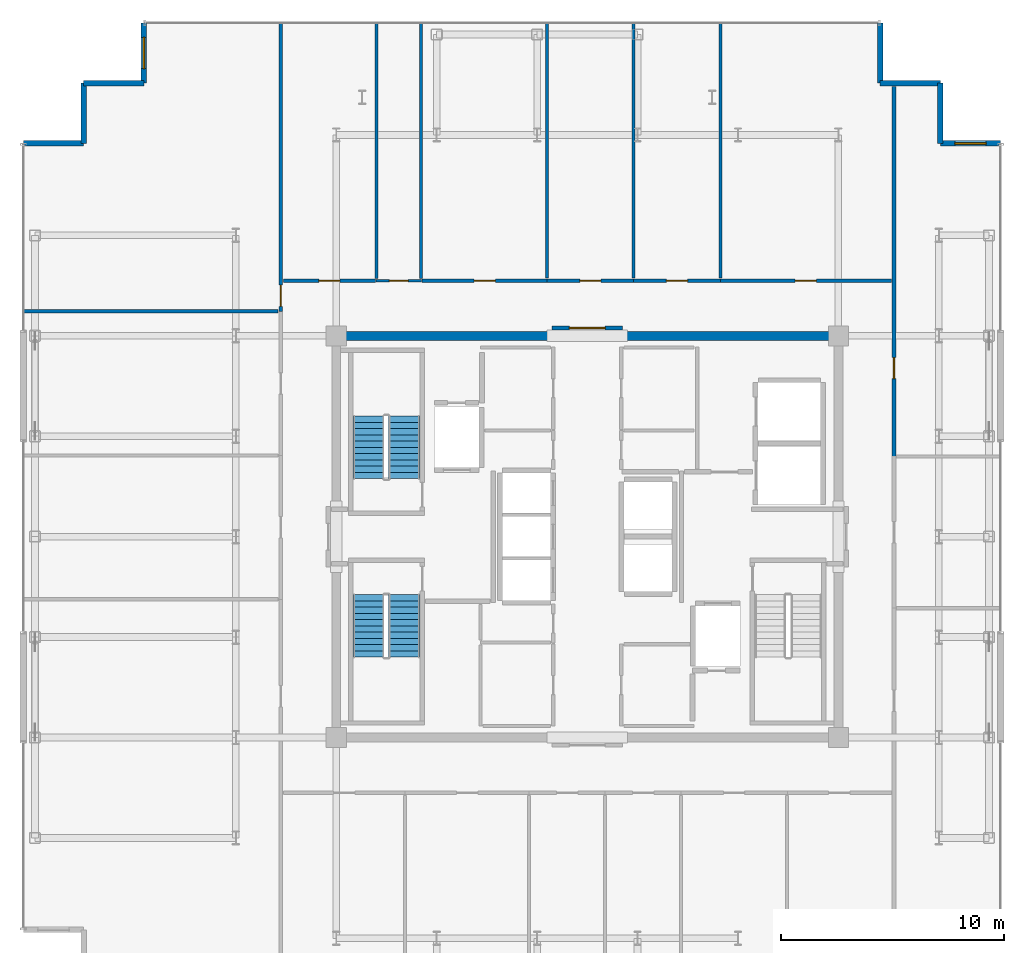
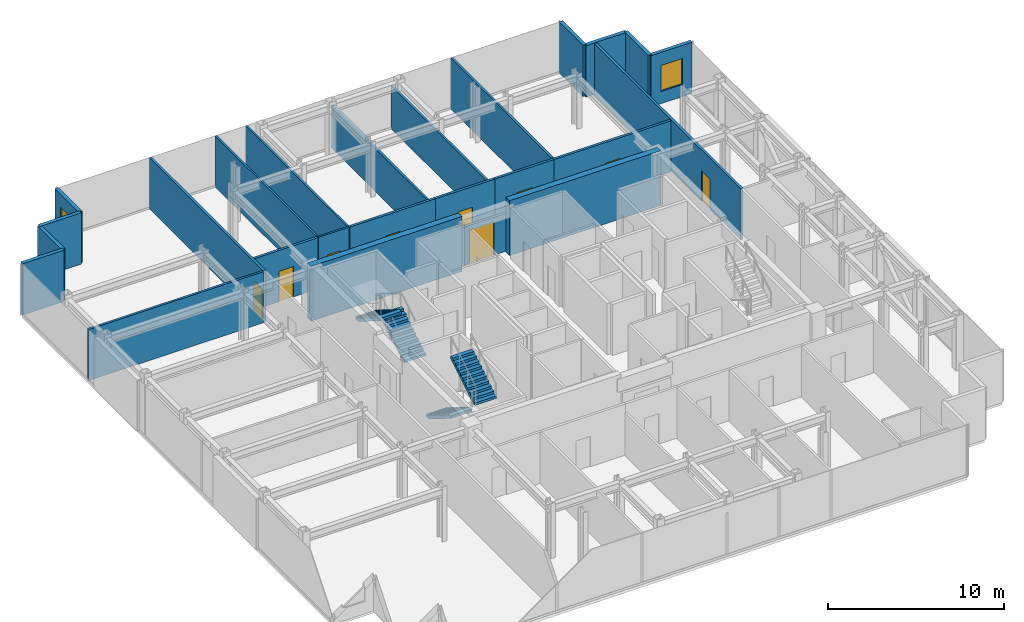
# One storey, part 14 of 16: 25 walls, 9 doors, 4 stair flights, 2 windows, 11 openings, 2 elements without a shape of their own.
"""IFC4 building model written with IfcOpenShell, lengths in metres."""

import ifcopenshell
import ifcopenshell.guid

model = None  # the IFC model being written
_history = None  # IfcOwnerHistory: only IFC2X3 demands one
_inside = {}  # id of a spatial element -> (the spatial element, [elements in it])
_under = {}  # id of a project, library or spatial element -> (it, [spatial elements below it])
_declared = {}  # id of a project -> (the project, [libraries it declares])
_typed = {}  # id of a type object -> (the type object, [elements of that type])
_made_of = {}  # id of a material, layer set ... -> (it, [elements and type objects made of it])


def new_model(schema):
    """Start an empty IFC model of exactly this schema.

    Asked for "IFC4X3", IfcOpenShell would pick the latest addendum, in which some entities
    have other attributes; the version numbers below select the first issue.
    IFC2X3 requires an IfcOwnerHistory on every rooted entity: one is made here for all.
    """
    global model, _history
    if schema == "IFC4X3":
        model = ifcopenshell.file(schema_version=(4, 3, 0, 0))
    else:
        model = ifcopenshell.file(schema=schema)
    _inside.clear()
    _under.clear()
    _declared.clear()
    _typed.clear()
    _made_of.clear()
    _history = None
    if model.schema == "IFC2X3":
        org = make("IfcOrganization", Name="unknown")
        user = make(
            "IfcPersonAndOrganization",
            ThePerson=make("IfcPerson", FamilyName="unknown"),
            TheOrganization=org,
        )
        app = make(
            "IfcApplication",
            ApplicationDeveloper=org,
            Version="unknown",
            ApplicationFullName="unknown",
            ApplicationIdentifier="unknown",
        )
        _history = make(
            "IfcOwnerHistory",
            OwningUser=user,
            OwningApplication=app,
            ChangeAction="ADDED",
            CreationDate=0,
        )
    return model


def make(cls, **values):
    """One entity of the class cls with the attributes given. An attribute that is None is left unset."""
    return model.create_entity(
        cls, **{name: value for name, value in values.items() if value is not None}
    )


def rooted(cls, **values):
    """An entity with a GlobalId (a new one), such as an element, a storey or a relation."""
    return make(cls, GlobalId=ifcopenshell.guid.new(), OwnerHistory=_history, **values)


def si_unit(unit_type, name, prefix=None):
    """IfcSIUnit, for example si_unit("LENGTHUNIT", "METRE", prefix="MILLI")."""
    return make("IfcSIUnit", UnitType=unit_type, Prefix=prefix, Name=name)


def assignment(units):
    """IfcUnitAssignment: the units of a project."""
    return None if units is None else make("IfcUnitAssignment", Units=units)


def point(xyz):
    """IfcCartesianPoint."""
    return None if xyz is None else make("IfcCartesianPoint", Coordinates=xyz)


def direction(xyz):
    """IfcDirection."""
    return None if xyz is None else make("IfcDirection", DirectionRatios=xyz)


def frame(location, z_axis=None, x_axis=None):
    """IfcAxis2Placement3D, a coordinate frame: its origin and axes. An axis left out is left unset."""
    return make(
        "IfcAxis2Placement3D",
        Location=point(location),
        Axis=direction(z_axis),
        RefDirection=direction(x_axis),
    )


def frame_2d(location, x_axis=None):
    """IfcAxis2Placement2D, a coordinate frame in the plane: its origin and x axis."""
    return make(
        "IfcAxis2Placement2D", Location=point(location), RefDirection=direction(x_axis)
    )


def origin():
    """The frame at (0, 0, 0) with its axes left unset."""
    return frame((0.0, 0.0, 0.0))


def place(relative_to, where):
    """IfcLocalPlacement: puts the frame where relative to a parent placement (None: the world)."""
    return make(
        "IfcLocalPlacement", PlacementRelTo=relative_to, RelativePlacement=where
    )


def context(
    kind, dimensions, precision=None, world=None, true_north=None, identifier=None
):
    """IfcGeometricRepresentationContext, for example the 3D "Model" context."""
    return make(
        "IfcGeometricRepresentationContext",
        ContextIdentifier=identifier,
        ContextType=kind,
        CoordinateSpaceDimension=dimensions,
        Precision=precision,
        WorldCoordinateSystem=world,
        TrueNorth=true_north,
    )


def subcontext(parent, identifier, kind, view, scale=None):
    """IfcGeometricRepresentationSubContext, for example "Body" below "Model"."""
    return make(
        "IfcGeometricRepresentationSubContext",
        ContextIdentifier=identifier,
        ContextType=kind,
        ParentContext=parent,
        TargetScale=scale,
        TargetView=view,
    )


def project(units=None, contexts=None):
    """IfcProject with its units and contexts."""
    return rooted(
        "IfcProject",
        Name="project",
        RepresentationContexts=contexts,
        UnitsInContext=assignment(units),
    )


def spatial(cls, under=None, at=None, **own):
    """A site, building, storey or space (cls), placed at a placement, below another one or the project."""
    s = rooted(cls, ObjectPlacement=at, **own)
    if under is not None:
        _under.setdefault(under.id(), (under, []))[1].append(s)
    return s


def polyline(points):
    """IfcPolyline through the points."""
    return make("IfcPolyline", Points=[point(p) for p in points])


def profile(cls, at=None, kind="AREA", **sizes):
    """A parametric profile (cls). Its sizes go by their IFC names, for example OverallWidth=200.0."""
    return make(cls, ProfileType=kind, Position=at, **sizes)


def rectangle(**sizes):
    """IfcRectangleProfileDef."""
    return profile("IfcRectangleProfileDef", **sizes)


def outline(outer, holes=None, kind="AREA"):
    """IfcArbitraryClosedProfileDef: a profile drawn as a closed curve; with holes, ...WithVoids."""
    if holes is None:
        return make("IfcArbitraryClosedProfileDef", ProfileType=kind, OuterCurve=outer)
    return make(
        "IfcArbitraryProfileDefWithVoids",
        ProfileType=kind,
        OuterCurve=outer,
        InnerCurves=holes,
    )


def extrude(swept, where, along, depth):
    """IfcExtrudedAreaSolid: the profile swept, set in the frame where, extruded along a direction by depth."""
    return make(
        "IfcExtrudedAreaSolid",
        SweptArea=swept,
        Position=where,
        ExtrudedDirection=direction(along),
        Depth=depth,
    )


def shape(context_of_items, identifier, shape_type, items):
    """IfcShapeRepresentation: the items that make up one representation, for example the "Body"."""
    return make(
        "IfcShapeRepresentation",
        ContextOfItems=context_of_items,
        RepresentationIdentifier=identifier,
        RepresentationType=shape_type,
        Items=items,
    )


def source(mapping_origin, context_of_items, identifier, shape_type, items):
    """IfcRepresentationMap: a shape defined once, which mapped items show again and again."""
    return make(
        "IfcRepresentationMap",
        MappingOrigin=mapping_origin,
        MappedRepresentation=shape(context_of_items, identifier, shape_type, items),
    )


def transform(
    local_origin,
    x_axis=None,
    y_axis=None,
    z_axis=None,
    scale=None,
    scale2=None,
    scale3=None,
    uniform=True,
):
    """IfcCartesianTransformationOperator3D, or its non-uniform kind. x_axis, y_axis, z_axis: its Axis1, 2, 3."""
    if uniform:
        return make(
            "IfcCartesianTransformationOperator3D",
            Axis1=direction(x_axis),
            Axis2=direction(y_axis),
            LocalOrigin=point(local_origin),
            Scale=scale,
            Axis3=direction(z_axis),
        )
    return make(
        "IfcCartesianTransformationOperator3DnonUniform",
        Axis1=direction(x_axis),
        Axis2=direction(y_axis),
        LocalOrigin=point(local_origin),
        Scale=scale,
        Axis3=direction(z_axis),
        Scale2=scale2,
        Scale3=scale3,
    )


def mapped(mapping_source, mapping_target):
    """IfcMappedItem: shows the shape of a source again, moved by a transform."""
    return make(
        "IfcMappedItem", MappingSource=mapping_source, MappingTarget=mapping_target
    )


def material(Name=None, Category=None):
    """IfcMaterial."""
    return make("IfcMaterial", Name=Name, Category=Category)


def layer(
    of_material, thickness, ventilated=None, Name=None, Category=None, Priority=None
):
    """IfcMaterialLayer: one layer of a wall or slab, of a material (None: an air gap)."""
    return make(
        "IfcMaterialLayer",
        Material=of_material,
        LayerThickness=thickness,
        IsVentilated=ventilated,
        Name=Name,
        Category=Category,
        Priority=Priority,
    )


def layer_set(layers, Name=None):
    """IfcMaterialLayerSet."""
    return make("IfcMaterialLayerSet", MaterialLayers=layers, LayerSetName=Name)


def made_of(thing, what):
    """Note that an element or type object is made of a material, layer set ...; save() writes the relation."""
    if what is not None:
        _made_of.setdefault(what.id(), (what, []))[1].append(thing)
    return thing


def type_object(cls, material=None, **own):
    """A type object (cls), such as IfcWallType, which elements share."""
    return made_of(rooted(cls, **own), material)


def element(
    cls,
    number,
    at=None,
    inside=None,
    cuts=None,
    type_object=None,
    material=None,
    context=None,
    identifier="Body",
    shape_type=None,
    held_by="IfcProductDefinitionShape",
    body=None,
    shapes=None,
    **own,
):
    """One element of the class cls, such as IfcWall. Its Tag is "e" and its number.

    at: its placement. inside: the storey or other place that contains it. cuts: it is an
    opening in that element (IfcRelVoidsElement). A single representation is given by context,
    identifier, shape_type and body (its items); several are given by shapes. held_by: the class
    of the entity that holds the representations. save() writes the other relations.
    """
    e = rooted(cls, Tag="e%d" % number, ObjectPlacement=at, **own)
    if body is not None:
        shapes = [shape(context, identifier, shape_type, body)]
    if shapes is not None:
        e.Representation = make(held_by, Representations=shapes)
    if inside is not None:
        _inside.setdefault(inside.id(), (inside, []))[1].append(e)
    if cuts is not None:
        rooted(
            "IfcRelVoidsElement", RelatingBuildingElement=cuts, RelatedOpeningElement=e
        )
    if type_object is not None:
        _typed.setdefault(type_object.id(), (type_object, []))[1].append(e)
    return made_of(e, material)


def fill(opening, filler):
    """IfcRelFillsElement: the door or window that sits in an opening."""
    return rooted(
        "IfcRelFillsElement",
        RelatingOpeningElement=opening,
        RelatedBuildingElement=filler,
    )


def aggregate(whole, parts):
    """IfcRelAggregates: a whole, such as a stair, and the parts it consists of."""
    return rooted("IfcRelAggregates", RelatingObject=whole, RelatedObjects=parts)


def save(model, path):
    """Write the relations noted so far, then the file.

    IfcRelAggregates (storeys below a building ...), IfcRelContainedInSpatialStructure (elements
    in a storey), IfcRelDefinesByType, IfcRelAssociatesMaterial and IfcRelDeclares: one each for
    every whole, place, type object, material and project.
    """
    for whole, parts in _under.values():
        aggregate(whole, parts)
    for where, things in _inside.values():
        rooted(
            "IfcRelContainedInSpatialStructure",
            RelatedElements=things,
            RelatingStructure=where,
        )
    for kind, things in _typed.values():
        rooted("IfcRelDefinesByType", RelatedObjects=things, RelatingType=kind)
    for what, things in _made_of.values():
        rooted("IfcRelAssociatesMaterial", RelatedObjects=things, RelatingMaterial=what)
    for by, libraries in _declared.values():
        rooted("IfcRelDeclares", RelatingContext=by, RelatedDefinitions=libraries)
    model.write(path)


model = new_model("IFC4")

# Units and contexts
model_context = context("Model", 3, precision=1e-05, world=origin(), true_north=direction((0.0, 1.0)))
body_context = subcontext(model_context, "Body", "Model", "MODEL_VIEW")
ifc_project = project(units=[si_unit("LENGTHUNIT", "METRE"), si_unit("AREAUNIT", "SQUARE_METRE"), si_unit("VOLUMEUNIT", "CUBIC_METRE"), si_unit("PLANEANGLEUNIT", "RADIAN"), si_unit("MASSUNIT", "GRAM", prefix="KILO")], contexts=[model_context])

# Site, building, storey
site_placement = place(None, origin())
site = spatial("IfcSite", under=ifc_project, at=site_placement, CompositionType="ELEMENT")
building_placement = place(site_placement, origin())
building = spatial("IfcBuilding", under=site, at=building_placement, Name="Nefas-Gora Pilgrimage Tower", CompositionType="ELEMENT")
storey_placement = place(building_placement, frame((0.0, 0.0, 333.800048828125)))
storey = spatial("IfcBuildingStorey", under=building, at=storey_placement, Name="L84", CompositionType="ELEMENT", Elevation=333.800048828125)

# Walls
ifc_material_1 = material(Name="Concrete C50/60", Category="concrete")
ifc_layer_1 = layer(ifc_material_1, 0.39990234375)
ifc_layer_set_1 = layer_set([ifc_layer_1], Name="Concrete C50/60")
wall_type_1 = type_object("IfcWallType", Name="SW-CORE-400", PredefinedType="SHEAR", material=ifc_layer_set_1)
shared_shape_1 = source(origin(), body_context, "Body", "SweptSolid", [
    extrude(rectangle(XDim=9.89990234375, YDim=0.39990234375, at=frame_2d((4.949951171875, 0.0))), origin(), (0.0, 0.0, 1.0), 3.800048828125),
])
for number, where, z_axis, x_axis, name in (
    (1, (-11.449951171875, 9.0, 0.0), (0.0, 0.0, 1.0), (1.0, 0.0, 0.0), "L84 Core Shear Wall N-West"),
    (2, (1.550048828125, 9.0, 0.0), (0.0, 0.0, 1.0), (1.0, 0.0, 0.0), "L84 Core Shear Wall N-East"),
):
    element("IfcWall", number, at=place(storey_placement, frame(where, z_axis=z_axis, x_axis=x_axis)), inside=storey, type_object=wall_type_1, Name=name, PredefinedType="SHEAR", context=body_context, shape_type="MappedRepresentation", body=[
        mapped(shared_shape_1, transform((0.0, 0.0, 0.0), x_axis=(1.0, 0.0, 0.0), y_axis=(0.0, 1.0, 0.0), z_axis=(0.0, 0.0, 1.0), scale=1.0)),
    ])

# Wall, opening, window
ifc_material_2 = material(Name="Precast concrete C45/55", Category="concrete")
ifc_layer_2 = layer(ifc_material_2, 0.239990234375)
ifc_layer_set_2 = layer_set([ifc_layer_2], Name="Precast concrete C45/55")
wall_type_2 = type_object("IfcWallType", Name="EW-SERR-240", PredefinedType="SHEAR", material=ifc_layer_set_2)
shared_shape_2 = source(origin(), body_context, "Body", "SweptSolid", [
    extrude(rectangle(XDim=2.699951171875, YDim=0.239990234375, at=frame_2d((1.35009765625, 0.0))), origin(), (0.0, 0.0, 1.0), 3.550048828125),
])
wall_1_placement = place(storey_placement, frame((18.52001953125, 17.6201171875, 0.0), z_axis=(0.0, 0.0, 1.0), x_axis=(-1.0, 0.0, 0.0)))
wall_1 = element("IfcWall", 3, at=wall_1_placement, inside=storey, type_object=wall_type_2, Name="L84 Serrated Corner Shear Pier Wall 5", PredefinedType="SHEAR", context=body_context, shape_type="MappedRepresentation", body=[
    mapped(shared_shape_2, transform((0.0, 0.0, 0.0), x_axis=(1.0, 0.0, 0.0), y_axis=(0.0, 1.0, 0.0), z_axis=(0.0, 0.0, 1.0), scale=1.0)),
])
opening_1_placement = place(wall_1_placement, frame((0.64990234375, 0.0, 0.85009765625)))
opening_1 = element("IfcOpeningElement", 4, at=opening_1_placement, cuts=wall_1, Name="Opening W-V2", PredefinedType="OPENING", context=body_context, shape_type="SweptSolid", body=[
    extrude(rectangle(XDim=1.39990234375, YDim=1.800048828125, at=frame_2d((0.699951171875, 0.89990234375))), frame((0.0, 0.1298828125, 0.0), z_axis=(0.0, -1.0, 0.0), x_axis=(1.0, 0.0, 0.0)), (0.0, 0.0, 1.0), 0.260009765625),
])
ifc_material_3 = material(Name="Dark ceramic-fritted operable aluminium-glass window", Category="aluminium")
window_type = type_object("IfcWindowType", Name="WIN-VENT-1400x1800", PartitioningType="SINGLE_PANEL", PredefinedType="WINDOW", material=ifc_material_3)
shared_shape_3 = source(origin(), body_context, "Body", "SweptSolid", [
    extrude(rectangle(XDim=1.39990234375, YDim=1.800048828125, at=frame_2d((0.699951171875, 0.89990234375))), frame((0.0, 0.030029296875, 0.0), z_axis=(0.0, -1.0, 0.0), x_axis=(1.0, 0.0, 0.0)), (0.0, 0.0, 1.0), 0.06005859375),
])
window_1_placement = place(opening_1_placement, origin())
window_1 = element("IfcWindow", 5, at=window_1_placement, inside=storey, type_object=window_type, Name="L84 Operable Parallel-Outswing Window 5", OverallHeight=1.800048828125, OverallWidth=1.39990234375, PartitioningType="SINGLE_PANEL", PredefinedType="WINDOW", context=body_context, shape_type="MappedRepresentation", body=[
    mapped(shared_shape_3, transform((0.0, 0.0, 0.0), x_axis=(1.0, 0.0, 0.0), y_axis=(0.0, 1.0, 0.0), z_axis=(0.0, 0.0, 1.0), scale=1.0)),
])
fill(opening_1, window_1)

# Walls
for number, where, z_axis, x_axis, name in (
    (6, (15.820068359375, 17.6201171875, 0.0), (0.0, 0.0, 1.0), (0.0, 1.0, 0.0), "L84 Serrated Corner Shear Pier Wall 6"),
    (7, (15.820068359375, 20.320068359375, 0.0), (0.0, 0.0, 1.0), (-1.0, 0.0, 0.0), "L84 Serrated Corner Shear Pier Wall 7"),
    (8, (13.1201171875, 20.320068359375, 0.0), (0.0, 0.0, 1.0), (0.0, 1.0, 0.0), "L84 Serrated Corner Shear Pier Wall 8"),
):
    element("IfcWall", number, at=place(storey_placement, frame(where, z_axis=z_axis, x_axis=x_axis)), inside=storey, type_object=wall_type_2, Name=name, PredefinedType="SHEAR", context=body_context, shape_type="MappedRepresentation", body=[
        mapped(shared_shape_2, transform((0.0, 0.0, 0.0), x_axis=(1.0, 0.0, 0.0), y_axis=(0.0, 1.0, 0.0), z_axis=(0.0, 0.0, 1.0), scale=1.0)),
    ])

# Wall, opening, window
wall_2_placement = place(storey_placement, frame((-19.8701171875, 23.02001953125, 0.0), z_axis=(0.0, 0.0, 1.0), x_axis=(0.0, -1.0, 0.0)))
wall_2 = element("IfcWall", 9, at=wall_2_placement, inside=storey, type_object=wall_type_2, Name="L84 Serrated Corner Shear Pier Wall 9", PredefinedType="SHEAR", context=body_context, shape_type="MappedRepresentation", body=[
    mapped(shared_shape_2, transform((0.0, 0.0, 0.0), x_axis=(1.0, 0.0, 0.0), y_axis=(0.0, 1.0, 0.0), z_axis=(0.0, 0.0, 1.0), scale=1.0)),
])
opening_2_placement = place(wall_2_placement, frame((0.64990234375, 0.0, 0.85009765625)))
opening_2 = element("IfcOpeningElement", 10, at=opening_2_placement, cuts=wall_2, Name="Opening W-V2", PredefinedType="OPENING", context=body_context, shape_type="SweptSolid", body=[
    extrude(rectangle(XDim=1.39990234375, YDim=1.800048828125, at=frame_2d((0.699951171875, 0.89990234375))), frame((0.0, 0.1298828125, 0.0), z_axis=(0.0, -1.0, 0.0), x_axis=(1.0, 0.0, 0.0)), (0.0, 0.0, 1.0), 0.260009765625),
])
window_2_placement = place(opening_2_placement, origin())
window_2 = element("IfcWindow", 11, at=window_2_placement, inside=storey, type_object=window_type, Name="L84 Operable Parallel-Outswing Window 9", OverallHeight=1.800048828125, OverallWidth=1.39990234375, PartitioningType="SINGLE_PANEL", PredefinedType="WINDOW", context=body_context, shape_type="MappedRepresentation", body=[
    mapped(shared_shape_3, transform((0.0, 0.0, 0.0), x_axis=(1.0, 0.0, 0.0), y_axis=(0.0, 1.0, 0.0), z_axis=(0.0, 0.0, 1.0), scale=1.0)),
])
fill(opening_2, window_2)

# Walls
for number, where, z_axis, x_axis, name in (
    (12, (-19.8701171875, 20.320068359375, 0.0), (0.0, 0.0, 1.0), (-1.0, 0.0, 0.0), "L84 Serrated Corner Shear Pier Wall 10"),
    (13, (-22.570068359375, 20.320068359375, 0.0), (0.0, 0.0, 1.0), (0.0, -1.0, 0.0), "L84 Serrated Corner Shear Pier Wall 11"),
    (14, (-22.570068359375, 17.6201171875, 0.0), (0.0, 0.0, 1.0), (-1.0, 0.0, 0.0), "L84 Serrated Corner Shear Pier Wall 12"),
):
    element("IfcWall", number, at=place(storey_placement, frame(where, z_axis=z_axis, x_axis=x_axis)), inside=storey, type_object=wall_type_2, Name=name, PredefinedType="SHEAR", context=body_context, shape_type="MappedRepresentation", body=[
        mapped(shared_shape_2, transform((0.0, 0.0, 0.0), x_axis=(1.0, 0.0, 0.0), y_axis=(0.0, 1.0, 0.0), z_axis=(0.0, 0.0, 1.0), scale=1.0)),
    ])

# Wall, opening, door
ifc_material_4 = material(Name="Moisture-resistant fire-rated gypsum partition")
ifc_layer_3 = layer(ifc_material_4, 0.1201171875)
ifc_layer_set_3 = layer_set([ifc_layer_3], Name="Moisture-resistant fire-rated gypsum partition")
wall_type_3 = type_object("IfcWallType", Name="IW-WET-120", PredefinedType="PLUMBINGWALL", material=ifc_layer_set_3)
shared_shape_4 = source(origin(), body_context, "Body", "SweptSolid", [
    extrude(rectangle(XDim=2.02001953125, YDim=0.1201171875, at=frame_2d((1.010009765625, 0.0))), origin(), (0.0, 0.0, 1.0), 3.534912109375),
])
wall_3_placement = place(storey_placement, frame((-9.4599609375, 11.469970703125, 0.0), z_axis=(0.0, 0.0, 1.0), x_axis=(1.0, 0.0, 0.0)))
wall_3 = element("IfcWall", 15, at=wall_3_placement, inside=storey, type_object=wall_type_3, Name="L84 Accessible Unisex WC Partition Wall 40", PredefinedType="PLUMBINGWALL", context=body_context, shape_type="MappedRepresentation", body=[
    mapped(shared_shape_4, transform((0.0, 0.0, 0.0), x_axis=(1.0, 0.0, 0.0), y_axis=(0.0, 1.0, 0.0), z_axis=(0.0, 0.0, 1.0), scale=1.0)),
])
opening_3_placement = place(wall_3_placement, frame((0.5849609375, 0.0, 0.0)))
opening_3 = element("IfcOpeningElement", 16, at=opening_3_placement, cuts=wall_3, Name="Opening ID-BT1", PredefinedType="OPENING", context=body_context, shape_type="SweptSolid", body=[
    extrude(rectangle(XDim=0.85009765625, YDim=2.10009765625, at=frame_2d((0.425048828125, 1.050048828125))), frame((0.0, 0.070068359375, 0.0), z_axis=(0.0, -1.0, 0.0), x_axis=(1.0, 0.0, 0.0)), (0.0, 0.0, 1.0), 0.14013671875),
])
ifc_material_5 = material(Name="Moisture-resistant fire-rated timber door", Category="wood")
door_type_1 = type_object("IfcDoorType", Name="DR-INT-BATH-850", OperationType="NOTDEFINED", PredefinedType="DOOR", material=ifc_material_5)
shared_shape_5 = source(origin(), body_context, "Body", "SweptSolid", [
    extrude(rectangle(XDim=0.85009765625, YDim=2.10009765625, at=frame_2d((0.425048828125, 1.050048828125))), frame((0.0, 0.02490234375, 0.0), z_axis=(0.0, -1.0, 0.0), x_axis=(1.0, 0.0, 0.0)), (0.0, 0.0, 1.0), 0.050048828125),
])
door_1_placement = place(opening_3_placement, origin())
door_1 = element("IfcDoor", 17, at=door_1_placement, inside=storey, type_object=door_type_1, Name="L84 Accessible Unisex WC Door 16", OperationType="SINGLE_SWING_RIGHT", OverallHeight=2.10009765625, OverallWidth=0.85009765625, PredefinedType="DOOR", context=body_context, shape_type="MappedRepresentation", body=[
    mapped(shared_shape_5, transform((0.0, 0.0, 0.0), x_axis=(1.0, 0.0, 0.0), y_axis=(0.0, 1.0, 0.0), z_axis=(0.0, 0.0, 1.0), scale=1.0)),
])
fill(opening_3, door_1)

ifc_material_6 = material(Name="Gypsum acoustic stud partition")
ifc_layer_4 = layer(ifc_material_6, 0.159912109375)
ifc_layer_set_4 = layer_set([ifc_layer_4], Name="Gypsum acoustic stud partition")
wall_type_4 = type_object("IfcWallType", Name="IW-CORR-160", PredefinedType="PARTITIONING", material=ifc_layer_set_4)
shared_shape_6 = source(origin(), body_context, "Body", "SweptSolid", [
    extrude(rectangle(XDim=4.125, YDim=0.159912109375, at=frame_2d((2.0625, 0.0))), origin(), (0.0, 0.0, 1.0), 3.534912109375),
])
wall_4_placement = place(storey_placement, frame((-13.6201171875, 11.469970703125, 0.0), z_axis=(0.0, 0.0, 1.0), x_axis=(1.0, 0.0, 0.0)))
wall_4 = element("IfcWall", 18, at=wall_4_placement, inside=storey, type_object=wall_type_4, Name="L84 Pilgrim Fellowship Seminar Room Partition Wall 55", PredefinedType="PARTITIONING", context=body_context, shape_type="MappedRepresentation", body=[
    mapped(shared_shape_6, transform((0.0, 0.0, 0.0), x_axis=(1.0, 0.0, 0.0), y_axis=(0.0, 1.0, 0.0), z_axis=(0.0, 0.0, 1.0), scale=1.0)),
])
opening_4_placement = place(wall_4_placement, frame((1.58740234375, 0.0, 0.0)))
opening_4 = element("IfcOpeningElement", 19, at=opening_4_placement, cuts=wall_4, Name="Opening ID-GR1", PredefinedType="OPENING", context=body_context, shape_type="SweptSolid", body=[
    extrude(rectangle(XDim=0.949951171875, YDim=2.10009765625, at=frame_2d((0.47509765625, 1.050048828125))), frame((0.0, 0.08984375, 0.0), z_axis=(0.0, -1.0, 0.0), x_axis=(1.0, 0.0, 0.0)), (0.0, 0.0, 1.0), 0.179931640625),
])
ifc_material_7 = material(Name="Solid core oak fire-rated guest entrance door")
door_type_2 = type_object("IfcDoorType", Name="DR-INT-GUEST-950", OperationType="NOTDEFINED", PredefinedType="DOOR", material=ifc_material_7)
shared_shape_7 = source(origin(), body_context, "Body", "SweptSolid", [
    extrude(rectangle(XDim=0.949951171875, YDim=2.10009765625, at=frame_2d((0.47509765625, 1.050048828125))), frame((0.0, 0.02490234375, 0.0), z_axis=(0.0, -1.0, 0.0), x_axis=(1.0, 0.0, 0.0)), (0.0, 0.0, 1.0), 0.050048828125),
])
door_2_placement = place(opening_4_placement, origin())
door_2 = element("IfcDoor", 20, at=door_2_placement, inside=storey, type_object=door_type_2, Name="L84 Pilgrim Fellowship Seminar Room Door 24", OperationType="SINGLE_SWING_RIGHT", OverallHeight=2.10009765625, OverallWidth=0.949951171875, PredefinedType="DOOR", context=body_context, shape_type="MappedRepresentation", body=[
    mapped(shared_shape_7, transform((0.0, 0.0, 0.0), x_axis=(1.0, 0.0, 0.0), y_axis=(0.0, 1.0, 0.0), z_axis=(0.0, 0.0, 1.0), scale=1.0)),
])
fill(opening_4, door_2)

shared_shape_8 = source(origin(), body_context, "Body", "SweptSolid", [
    extrude(rectangle(XDim=5.610107421875, YDim=0.159912109375, at=frame_2d((2.80517578125, 0.0))), origin(), (0.0, 0.0, 1.0), 3.534912109375),
])
wall_5_placement = place(storey_placement, frame((-7.405029296875, 11.469970703125, 0.0), z_axis=(0.0, 0.0, 1.0), x_axis=(1.0, 0.0, 0.0)))
wall_5 = element("IfcWall", 21, at=wall_5_placement, inside=storey, type_object=wall_type_4, Name="L84 Pilgrim Contemplative Lounge Partition Wall 56", PredefinedType="PARTITIONING", context=body_context, shape_type="MappedRepresentation", body=[
    mapped(shared_shape_8, transform((0.0, 0.0, 0.0), x_axis=(1.0, 0.0, 0.0), y_axis=(0.0, 1.0, 0.0), z_axis=(0.0, 0.0, 1.0), scale=1.0)),
])
opening_5_placement = place(wall_5_placement, frame((2.330078125, 0.0, 0.0)))
opening_5 = element("IfcOpeningElement", 22, at=opening_5_placement, cuts=wall_5, Name="Opening ID-GR1", PredefinedType="OPENING", context=body_context, shape_type="SweptSolid", body=[
    extrude(rectangle(XDim=0.949951171875, YDim=2.10009765625, at=frame_2d((0.47509765625, 1.050048828125))), frame((0.0, 0.08984375, 0.0), z_axis=(0.0, -1.0, 0.0), x_axis=(1.0, 0.0, 0.0)), (0.0, 0.0, 1.0), 0.179931640625),
])
door_3_placement = place(opening_5_placement, origin())
door_3 = element("IfcDoor", 23, at=door_3_placement, inside=storey, type_object=door_type_2, Name="L84 Pilgrim Contemplative Lounge Door 25", OperationType="SINGLE_SWING_LEFT", OverallHeight=2.10009765625, OverallWidth=0.949951171875, PredefinedType="DOOR", context=body_context, shape_type="MappedRepresentation", body=[
    mapped(shared_shape_7, transform((0.0, 0.0, 0.0), x_axis=(1.0, 0.0, 0.0), y_axis=(0.0, 1.0, 0.0), z_axis=(0.0, 0.0, 1.0), scale=1.0)),
])
fill(opening_5, door_3)

shared_shape_9 = source(origin(), body_context, "Body", "SweptSolid", [
    extrude(rectangle(XDim=7.66015625, YDim=0.159912109375, at=frame_2d((3.830078125, 0.0))), origin(), (0.0, 0.0, 1.0), 3.534912109375),
])
wall_6_placement = place(storey_placement, frame((5.9599609375, 11.469970703125, 0.0), z_axis=(0.0, 0.0, 1.0), x_axis=(1.0, 0.0, 0.0)))
wall_6 = element("IfcWall", 24, at=wall_6_placement, inside=storey, type_object=wall_type_4, Name="L84 Pilgrim Contemplative Lounge Partition Wall 58", PredefinedType="PARTITIONING", context=body_context, shape_type="MappedRepresentation", body=[
    mapped(shared_shape_9, transform((0.0, 0.0, 0.0), x_axis=(1.0, 0.0, 0.0), y_axis=(0.0, 1.0, 0.0), z_axis=(0.0, 0.0, 1.0), scale=1.0)),
])
opening_6_placement = place(wall_6_placement, frame((3.35498046875, 0.0, 0.0)))
opening_6 = element("IfcOpeningElement", 25, at=opening_6_placement, cuts=wall_6, Name="Opening ID-GR1", PredefinedType="OPENING", context=body_context, shape_type="SweptSolid", body=[
    extrude(rectangle(XDim=0.949951171875, YDim=2.10009765625, at=frame_2d((0.47509765625, 1.050048828125))), frame((0.0, 0.08984375, 0.0), z_axis=(0.0, -1.0, 0.0), x_axis=(1.0, 0.0, 0.0)), (0.0, 0.0, 1.0), 0.179931640625),
])
door_4_placement = place(opening_6_placement, origin())
door_4 = element("IfcDoor", 26, at=door_4_placement, inside=storey, type_object=door_type_2, Name="L84 Pilgrim Contemplative Lounge Door 26", OperationType="SINGLE_SWING_RIGHT", OverallHeight=2.10009765625, OverallWidth=0.949951171875, PredefinedType="DOOR", context=body_context, shape_type="MappedRepresentation", body=[
    mapped(shared_shape_7, transform((0.0, 0.0, 0.0), x_axis=(1.0, 0.0, 0.0), y_axis=(0.0, 1.0, 0.0), z_axis=(0.0, 0.0, 1.0), scale=1.0)),
])
fill(opening_6, door_4)

shared_shape_10 = source(origin(), body_context, "Body", "SweptSolid", [
    extrude(rectangle(XDim=3.88232421875, YDim=0.159912109375, at=frame_2d((1.941162109375, 0.0))), origin(), (0.0, 0.0, 1.0), 3.534912109375),
])
wall_7_placement = place(storey_placement, frame((-1.804931640625, 11.469970703125, 0.0), z_axis=(0.0, 0.0, 1.0), x_axis=(1.0, 0.0, 0.0)))
wall_7 = element("IfcWall", 27, at=wall_7_placement, inside=storey, type_object=wall_type_4, Name="L84 Pilgrim Contemplative Lounge Partition Wall 60", PredefinedType="PARTITIONING", context=body_context, shape_type="MappedRepresentation", body=[
    mapped(shared_shape_10, transform((0.0, 0.0, 0.0), x_axis=(1.0, 0.0, 0.0), y_axis=(0.0, 1.0, 0.0), z_axis=(0.0, 0.0, 1.0), scale=1.0)),
])
opening_7_placement = place(wall_7_placement, frame((1.46630859375, 0.0, 0.0)))
opening_7 = element("IfcOpeningElement", 28, at=opening_7_placement, cuts=wall_7, Name="Opening ID-GR1", PredefinedType="OPENING", context=body_context, shape_type="SweptSolid", body=[
    extrude(rectangle(XDim=0.949951171875, YDim=2.10009765625, at=frame_2d((0.47509765625, 1.050048828125))), frame((0.0, 0.08984375, 0.0), z_axis=(0.0, -1.0, 0.0), x_axis=(1.0, 0.0, 0.0)), (0.0, 0.0, 1.0), 0.179931640625),
])
door_5_placement = place(opening_7_placement, origin())
door_5 = element("IfcDoor", 29, at=door_5_placement, inside=storey, type_object=door_type_2, Name="L84 Pilgrim Contemplative Lounge Door 27", OperationType="SINGLE_SWING_LEFT", OverallHeight=2.10009765625, OverallWidth=0.949951171875, PredefinedType="DOOR", context=body_context, shape_type="MappedRepresentation", body=[
    mapped(shared_shape_7, transform((0.0, 0.0, 0.0), x_axis=(1.0, 0.0, 0.0), y_axis=(0.0, 1.0, 0.0), z_axis=(0.0, 0.0, 1.0), scale=1.0)),
])
fill(opening_7, door_5)

shared_shape_11 = source(origin(), body_context, "Body", "SweptSolid", [
    extrude(rectangle(XDim=3.882568359375, YDim=0.159912109375, at=frame_2d((1.94140625, 0.0))), origin(), (0.0, 0.0, 1.0), 3.534912109375),
])
wall_8_placement = place(storey_placement, frame((2.077392578125, 11.469970703125, 0.0), z_axis=(0.0, 0.0, 1.0), x_axis=(1.0, 0.0, 0.0)))
wall_8 = element("IfcWall", 30, at=wall_8_placement, inside=storey, type_object=wall_type_4, Name="L84 Pilgrim Contemplative Lounge Partition Wall 62", PredefinedType="PARTITIONING", context=body_context, shape_type="MappedRepresentation", body=[
    mapped(shared_shape_11, transform((0.0, 0.0, 0.0), x_axis=(1.0, 0.0, 0.0), y_axis=(0.0, 1.0, 0.0), z_axis=(0.0, 0.0, 1.0), scale=1.0)),
])
opening_8_placement = place(wall_8_placement, frame((1.46630859375, 0.0, 0.0)))
opening_8 = element("IfcOpeningElement", 31, at=opening_8_placement, cuts=wall_8, Name="Opening ID-GR1", PredefinedType="OPENING", context=body_context, shape_type="SweptSolid", body=[
    extrude(rectangle(XDim=0.949951171875, YDim=2.10009765625, at=frame_2d((0.47509765625, 1.050048828125))), frame((0.0, 0.08984375, 0.0), z_axis=(0.0, -1.0, 0.0), x_axis=(1.0, 0.0, 0.0)), (0.0, 0.0, 1.0), 0.179931640625),
])
door_6_placement = place(opening_8_placement, origin())
door_6 = element("IfcDoor", 32, at=door_6_placement, inside=storey, type_object=door_type_2, Name="L84 Pilgrim Contemplative Lounge Door 28", OperationType="SINGLE_SWING_RIGHT", OverallHeight=2.10009765625, OverallWidth=0.949951171875, PredefinedType="DOOR", context=body_context, shape_type="MappedRepresentation", body=[
    mapped(shared_shape_7, transform((0.0, 0.0, 0.0), x_axis=(1.0, 0.0, 0.0), y_axis=(0.0, 1.0, 0.0), z_axis=(0.0, 0.0, 1.0), scale=1.0)),
])
fill(opening_8, door_6)

# Wall
ifc_material_8 = material(Name="Gypsum twin-stud partition")
ifc_layer_5 = layer(ifc_material_8, 0.139892578125)
ifc_layer_set_5 = layer_set([ifc_layer_5], Name="Gypsum twin-stud partition")
wall_type_5 = type_object("IfcWallType", Name="IW-UNIT-140", PredefinedType="PARTITIONING", material=ifc_layer_set_5)
shared_shape_12 = source(origin(), body_context, "Body", "SweptSolid", [
    extrude(rectangle(XDim=11.429931640625, YDim=0.139892578125, at=frame_2d((5.71484375, 0.0))), origin(), (0.0, 0.0, 1.0), 3.534912109375),
])
wall_9_placement = place(storey_placement, frame((-25.2900390625, 10.097412109375, 0.0), z_axis=(0.0, 0.0, 1.0), x_axis=(1.0, 0.0, 0.0)))
element("IfcWall", 33, at=wall_9_placement, inside=storey, type_object=wall_type_5, Name="L84 Pilgrim Floor Concierge Foyer Partition Wall 46", PredefinedType="PARTITIONING", context=body_context, shape_type="MappedRepresentation", body=[
    mapped(shared_shape_12, transform((0.0, 0.0, 0.0), x_axis=(1.0, 0.0, 0.0), y_axis=(0.0, 1.0, 0.0), z_axis=(0.0, 0.0, 1.0), scale=1.0)),
])

# Wall, opening, door
shared_shape_13 = source(origin(), body_context, "Body", "SweptSolid", [
    extrude(rectangle(XDim=3.16015625, YDim=0.159912109375, at=frame_2d((1.580078125, 0.0))), origin(), (0.0, 0.0, 1.0), 2.625),
])
wall_10_placement = place(storey_placement, frame((-1.580078125, 9.35009765625, 0.0), z_axis=(0.0, 0.0, 1.0), x_axis=(1.0, 0.0, 0.0)))
wall_10 = element("IfcWall", 34, at=wall_10_placement, inside=storey, type_object=wall_type_4, Name="L84 Central Lift Lobby North Portal Wall 16", PredefinedType="PARTITIONING", context=body_context, shape_type="MappedRepresentation", body=[
    mapped(shared_shape_13, transform((0.0, 0.0, 0.0), x_axis=(1.0, 0.0, 0.0), y_axis=(0.0, 1.0, 0.0), z_axis=(0.0, 0.0, 1.0), scale=1.0)),
])
opening_9_placement = place(wall_10_placement, frame((0.780029296875, 0.0, 0.0)))
opening_9 = element("IfcOpeningElement", 35, at=opening_9_placement, cuts=wall_10, Name="Opening ID-HL1", PredefinedType="OPENING", context=body_context, shape_type="SweptSolid", body=[
    extrude(rectangle(XDim=1.60009765625, YDim=2.300048828125, at=frame_2d((0.800048828125, 1.14990234375))), frame((0.0, 0.08984375, 0.0), z_axis=(0.0, -1.0, 0.0), x_axis=(1.0, 0.0, 0.0)), (0.0, 0.0, 1.0), 0.179931640625),
])
ifc_material_9 = material(Name="Double acoustic timber assembly hall door", Category="wood")
door_type_3 = type_object("IfcDoorType", Name="DR-INT-HALL-1600", OperationType="DOUBLE_DOOR_SINGLE_SWING", PredefinedType="DOOR", material=ifc_material_9)
shared_shape_14 = source(origin(), body_context, "Body", "SweptSolid", [
    extrude(rectangle(XDim=1.60009765625, YDim=2.300048828125, at=frame_2d((0.800048828125, 1.14990234375))), frame((0.0, 0.02490234375, 0.0), z_axis=(0.0, -1.0, 0.0), x_axis=(1.0, 0.0, 0.0)), (0.0, 0.0, 1.0), 0.050048828125),
])
door_7_placement = place(opening_9_placement, origin())
door_7 = element("IfcDoor", 36, at=door_7_placement, inside=storey, type_object=door_type_3, Name="L84 Central Lift Lobby North Portal Door 6", OperationType="DOUBLE_DOOR_SINGLE_SWING", OverallHeight=2.300048828125, OverallWidth=1.60009765625, PredefinedType="DOOR", context=body_context, shape_type="MappedRepresentation", body=[
    mapped(shared_shape_14, transform((0.0, 0.0, 0.0), x_axis=(1.0, 0.0, 0.0), y_axis=(0.0, 1.0, 0.0), z_axis=(0.0, 0.0, 1.0), scale=1.0)),
])
fill(opening_9, door_7)

# Walls
shared_shape_15 = source(origin(), body_context, "Body", "SweptSolid", [
    extrude(rectangle(XDim=11.449951171875, YDim=0.139892578125, at=frame_2d((5.72509765625, 0.0))), origin(), (0.0, 0.0, 1.0), 3.534912109375),
])
wall_11_placement = place(storey_placement, frame((5.969970703125, 11.590087890625, 0.0), z_axis=(0.0, 0.0, 1.0), x_axis=(0.0, 1.0, 0.0)))
element("IfcWall", 37, at=wall_11_placement, inside=storey, type_object=wall_type_5, Name="L84 Pilgrim Contemplative Lounge Partition Wall 59", PredefinedType="PARTITIONING", context=body_context, shape_type="MappedRepresentation", body=[
    mapped(shared_shape_15, transform((0.0, 0.0, 0.0), x_axis=(1.0, 0.0, 0.0), y_axis=(0.0, 1.0, 0.0), z_axis=(0.0, 0.0, 1.0), scale=1.0)),
])
shared_shape_16 = source(origin(), body_context, "Body", "SweptSolid", [
    extrude(rectangle(XDim=11.449951171875, YDim=0.139892578125, at=frame_2d((5.72509765625, 0.0))), origin(), (0.0, 0.0, 1.0), 2.974853515625),
])
for number, where, z_axis, x_axis, name in (
    (38, (-1.804931640625, 11.590087890625, 0.0), (0.0, 0.0, 1.0), (0.0, 1.0, 0.0), "L84 Pilgrim Contemplative Lounge Partition Wall 57"),
    (39, (2.0673828125, 11.590087890625, 0.0), (0.0, 0.0, 1.0), (0.0, 1.0, 0.0), "L84 Pilgrim Contemplative Lounge Partition Wall 61"),
):
    element("IfcWall", number, at=place(storey_placement, frame(where, z_axis=z_axis, x_axis=x_axis)), inside=storey, type_object=wall_type_5, Name=name, PredefinedType="PARTITIONING", context=body_context, shape_type="MappedRepresentation", body=[
        mapped(shared_shape_16, transform((0.0, 0.0, 0.0), x_axis=(1.0, 0.0, 0.0), y_axis=(0.0, 1.0, 0.0), z_axis=(0.0, 0.0, 1.0), scale=1.0)),
    ])
shared_shape_17 = source(origin(), body_context, "Body", "SweptSolid", [
    extrude(rectangle(XDim=11.469970703125, YDim=0.1201171875, at=frame_2d((5.73486328125, 0.0))), origin(), (0.0, 0.0, 1.0), 3.534912109375),
])
for number, where, z_axis, x_axis, name in (
    (40, (-9.449951171875, 11.570068359375, 0.0), (0.0, 0.0, 1.0), (0.0, 1.0, 0.0), "L84 Accessible Unisex WC Partition Wall 41"),
    (41, (-7.449951171875, 11.570068359375, 0.0), (0.0, 0.0, 1.0), (0.0, 1.0, 0.0), "L84 Accessible Unisex WC Partition Wall 42"),
):
    element("IfcWall", number, at=place(storey_placement, frame(where, z_axis=z_axis, x_axis=x_axis)), inside=storey, type_object=wall_type_3, Name=name, PredefinedType="PLUMBINGWALL", context=body_context, shape_type="MappedRepresentation", body=[
        mapped(shared_shape_17, transform((0.0, 0.0, 0.0), x_axis=(1.0, 0.0, 0.0), y_axis=(0.0, 1.0, 0.0), z_axis=(0.0, 0.0, 1.0), scale=1.0)),
    ])

# Wall, opening, door
shared_shape_18 = source(origin(), body_context, "Body", "SweptSolid", [
    extrude(rectangle(XDim=12.95263671875, YDim=0.159912109375, at=frame_2d((6.476318359375, 0.0))), origin(), (0.0, 0.0, 1.0), 3.534912109375),
])
wall_12_placement = place(storey_placement, frame((-13.739990234375, 10.08740234375, 0.0), z_axis=(0.0, 0.0, 1.0), x_axis=(0.0, 1.0, 0.0)))
wall_12 = element("IfcWall", 42, at=wall_12_placement, inside=storey, type_object=wall_type_4, Name="L84 Pilgrim Floor Concierge Foyer Partition Wall 45", PredefinedType="PARTITIONING", context=body_context, shape_type="MappedRepresentation", body=[
    mapped(shared_shape_18, transform((0.0, 0.0, 0.0), x_axis=(1.0, 0.0, 0.0), y_axis=(0.0, 1.0, 0.0), z_axis=(0.0, 0.0, 1.0), scale=1.0)),
])
opening_10_placement = place(wall_12_placement, frame((0.236083984375, 0.0, 0.0)))
opening_10 = element("IfcOpeningElement", 43, at=opening_10_placement, cuts=wall_12, Name="Opening ID-GR1", PredefinedType="OPENING", context=body_context, shape_type="SweptSolid", body=[
    extrude(rectangle(XDim=0.949951171875, YDim=2.10009765625, at=frame_2d((0.47509765625, 1.050048828125))), frame((0.0, 0.08984375, 0.0), z_axis=(0.0, -1.0, 0.0), x_axis=(1.0, 0.0, 0.0)), (0.0, 0.0, 1.0), 0.179931640625),
])
door_8_placement = place(opening_10_placement, origin())
door_8 = element("IfcDoor", 44, at=door_8_placement, inside=storey, type_object=door_type_2, Name="L84 Pilgrim Floor Concierge Foyer Door 18", OperationType="SINGLE_SWING_RIGHT", OverallHeight=2.10009765625, OverallWidth=0.949951171875, PredefinedType="DOOR", context=body_context, shape_type="MappedRepresentation", body=[
    mapped(shared_shape_7, transform((0.0, 0.0, 0.0), x_axis=(1.0, 0.0, 0.0), y_axis=(0.0, 1.0, 0.0), z_axis=(0.0, 0.0, 1.0), scale=1.0)),
])
fill(opening_10, door_8)

shared_shape_19 = source(origin(), body_context, "Body", "SweptSolid", [
    extrude(rectangle(XDim=16.56494140625, YDim=0.159912109375, at=frame_2d((8.282470703125, 0.0))), origin(), (0.0, 0.0, 1.0), 3.534912109375),
])
wall_13_placement = place(storey_placement, frame((13.739990234375, 3.594970703125, 0.0), z_axis=(0.0, 0.0, 1.0), x_axis=(0.0, 1.0, 0.0)))
wall_13 = element("IfcWall", 45, at=wall_13_placement, inside=storey, type_object=wall_type_4, Name="L84 Pilgrim Fellowship Seminar Room Partition Wall 54", PredefinedType="PARTITIONING", context=body_context, shape_type="MappedRepresentation", body=[
    mapped(shared_shape_19, transform((0.0, 0.0, 0.0), x_axis=(1.0, 0.0, 0.0), y_axis=(0.0, 1.0, 0.0), z_axis=(0.0, 0.0, 1.0), scale=1.0)),
])
opening_11_placement = place(wall_13_placement, frame((3.482421875, 0.0, 0.0)))
opening_11 = element("IfcOpeningElement", 46, at=opening_11_placement, cuts=wall_13, Name="Opening ID-GR1", PredefinedType="OPENING", context=body_context, shape_type="SweptSolid", body=[
    extrude(rectangle(XDim=0.949951171875, YDim=2.10009765625, at=frame_2d((0.47509765625, 1.050048828125))), frame((0.0, 0.08984375, 0.0), z_axis=(0.0, -1.0, 0.0), x_axis=(1.0, 0.0, 0.0)), (0.0, 0.0, 1.0), 0.179931640625),
])
door_9_placement = place(opening_11_placement, origin())
door_9 = element("IfcDoor", 47, at=door_9_placement, inside=storey, type_object=door_type_2, Name="L84 Pilgrim Fellowship Seminar Room Door 23", OperationType="SINGLE_SWING_LEFT", OverallHeight=2.10009765625, OverallWidth=0.949951171875, PredefinedType="DOOR", context=body_context, shape_type="MappedRepresentation", body=[
    mapped(shared_shape_7, transform((0.0, 0.0, 0.0), x_axis=(1.0, 0.0, 0.0), y_axis=(0.0, 1.0, 0.0), z_axis=(0.0, 0.0, 1.0), scale=1.0)),
])
fill(opening_11, door_9)

# Stair, stair flights
ifc_material_10 = material(Name="Concrete C45/55", Category="concrete")
stair_type = type_object("IfcStairType", Name="STR-1400-R1727", PredefinedType="HALF_TURN_STAIR", material=ifc_material_10)
stair_1_placement = place(storey_placement, origin())
stair_1 = element("IfcStair", 48, at=stair_1_placement, inside=storey, type_object=stair_type, Name="L84 Pressurised Tower Exit Stair ST-01", PredefinedType="HALF_TURN_STAIR")
stair_flight_type = type_object("IfcStairFlightType", Name="STF-1400-R1727", PredefinedType="STRAIGHT", material=ifc_material_10)
shared_shape_20 = source(origin(), body_context, "Body", "SweptSolid", [
    extrude(outline(polyline([(0.0, 0.0), (0.0, 0.172607421875), (0.280029296875, 0.172607421875), (0.280029296875, 0.345458984375), (0.56005859375, 0.345458984375), (0.56005859375, 0.51806640625), (0.840087890625, 0.51806640625), (0.840087890625, 0.69091796875), (1.1201171875, 0.69091796875), (1.1201171875, 0.863525390625), (1.39990234375, 0.863525390625), (1.39990234375, 1.036376953125), (1.679931640625, 1.036376953125), (1.679931640625, 1.208984375), (1.9599609375, 1.208984375), (1.9599609375, 1.3818359375), (2.239990234375, 1.3818359375), (2.239990234375, 1.554443359375), (2.52001953125, 1.554443359375), (2.52001953125, 1.727294921875), (2.800048828125, 1.727294921875), (2.800048828125, 1.89990234375), (2.800048828125, 1.551025390625), (0.285400390625, 0.0), (0.0, 0.0)])), frame((0.0, 0.699951171875, 0.0), z_axis=(0.0, -1.0, 0.0), x_axis=(1.0, 0.0, 0.0)), (0.0, 0.0, 1.0), 1.39990234375),
])
stair_flight_1_placement = place(storey_placement, frame((-8.199951171875, 2.60009765625, 0.0), z_axis=(0.0, 0.0, 1.0), x_axis=(0.0, 1.0, 0.0)))
stair_flight_1 = element("IfcStairFlight", 49, at=stair_flight_1_placement, type_object=stair_flight_type, Name="ST-01 flight 1", NumberOfRisers=11, NumberOfTreads=10, PredefinedType="STRAIGHT", RiserHeight=0.172727273, TreadLength=0.28, context=body_context, shape_type="MappedRepresentation", body=[
    mapped(shared_shape_20, transform((0.0, 0.0, 0.0), x_axis=(1.0, 0.0, 0.0), y_axis=(0.0, 1.0, 0.0), z_axis=(0.0, 0.0, 1.0), scale=1.0)),
])
stair_flight_2_placement = place(storey_placement, frame((-9.800048828125, 5.39990234375, 1.89990234375), z_axis=(0.0, 0.0, 1.0), x_axis=(0.0, -1.0, 0.0)))
stair_flight_2 = element("IfcStairFlight", 50, at=stair_flight_2_placement, type_object=stair_flight_type, Name="ST-01 flight 2", NumberOfRisers=11, NumberOfTreads=10, PredefinedType="STRAIGHT", RiserHeight=0.172727273, TreadLength=0.28, context=body_context, shape_type="MappedRepresentation", body=[
    mapped(shared_shape_20, transform((0.0, 0.0, 0.0), x_axis=(1.0, 0.0, 0.0), y_axis=(0.0, 1.0, 0.0), z_axis=(0.0, 0.0, 1.0), scale=1.0)),
])
aggregate(stair_1, [stair_flight_1, stair_flight_2])

stair_2_placement = place(storey_placement, origin())
stair_2 = element("IfcStair", 51, at=stair_2_placement, inside=storey, type_object=stair_type, Name="L84 Pressurised Tower Exit Stair ST-03", PredefinedType="HALF_TURN_STAIR")
stair_flight_3_placement = place(storey_placement, frame((-9.800048828125, -2.60009765625, 0.0), z_axis=(0.0, 0.0, 1.0), x_axis=(0.0, -1.0, 0.0)))
stair_flight_3 = element("IfcStairFlight", 52, at=stair_flight_3_placement, type_object=stair_flight_type, Name="ST-03 flight 1", NumberOfRisers=11, NumberOfTreads=10, PredefinedType="STRAIGHT", RiserHeight=0.172727273, TreadLength=0.28, context=body_context, shape_type="MappedRepresentation", body=[
    mapped(shared_shape_20, transform((0.0, 0.0, 0.0), x_axis=(1.0, 0.0, 0.0), y_axis=(0.0, 1.0, 0.0), z_axis=(0.0, 0.0, 1.0), scale=1.0)),
])
stair_flight_4_placement = place(storey_placement, frame((-8.199951171875, -5.39990234375, 1.89990234375), z_axis=(0.0, 0.0, 1.0), x_axis=(0.0, 1.0, 0.0)))
stair_flight_4 = element("IfcStairFlight", 53, at=stair_flight_4_placement, type_object=stair_flight_type, Name="ST-03 flight 2", NumberOfRisers=11, NumberOfTreads=10, PredefinedType="STRAIGHT", RiserHeight=0.172727273, TreadLength=0.28, context=body_context, shape_type="MappedRepresentation", body=[
    mapped(shared_shape_20, transform((0.0, 0.0, 0.0), x_axis=(1.0, 0.0, 0.0), y_axis=(0.0, 1.0, 0.0), z_axis=(0.0, 0.0, 1.0), scale=1.0)),
])
aggregate(stair_2, [stair_flight_3, stair_flight_4])

save(model, "model.ifc")
